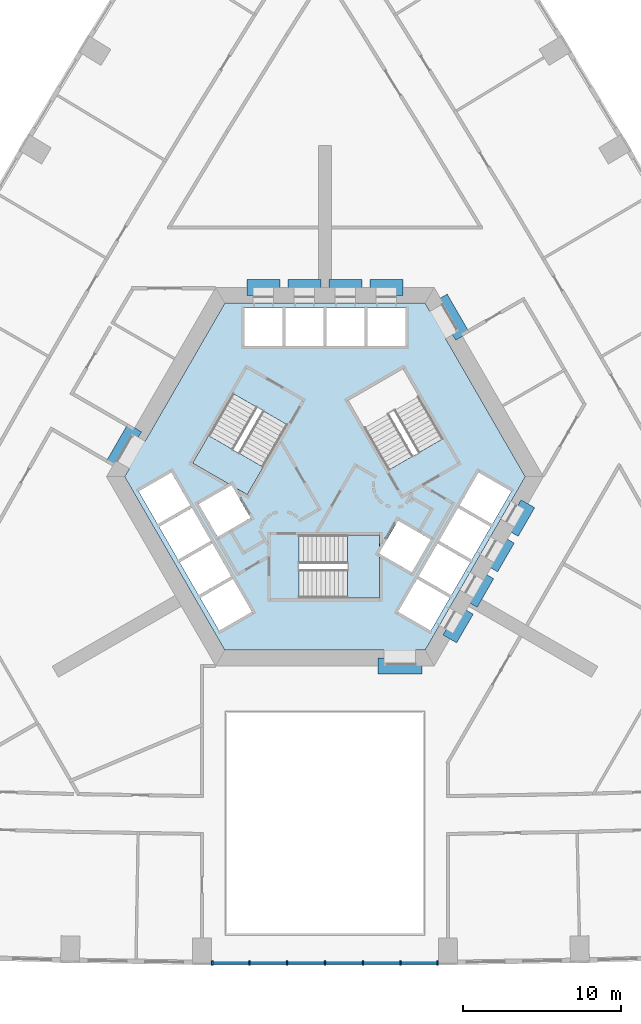
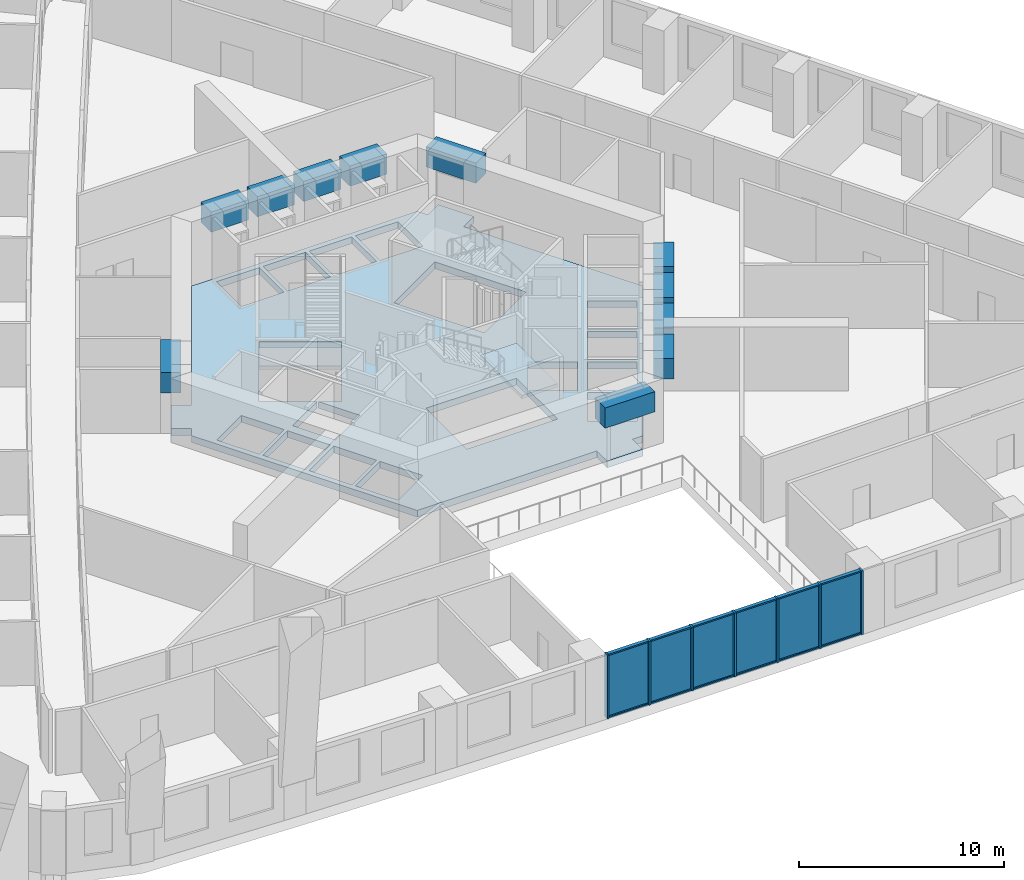
# One storey, part 2 of 15: 19 members, 11 beams, 6 plates, 3 slabs, 3 elements without a shape of their own.
"""IFC4 building model written with IfcOpenShell, lengths in metres."""

from ifc_helpers import new_model, si_unit, direction, frame, origin, origin_2d, place, context, subcontext, project, spatial, polyline, rectangle, outline, extrude, material, layer, layer_set, material_profile, profile_set, type_object, element, aggregate, save


model = new_model("IFC4")

# Units and contexts
model_context = context("Model", 3, precision=1e-05, world=origin(), true_north=direction((0.0, 1.0)))
body_context = subcontext(model_context, "Body", "Model", "MODEL_VIEW")
ifc_project = project(units=[si_unit("LENGTHUNIT", "METRE"), si_unit("AREAUNIT", "SQUARE_METRE"), si_unit("VOLUMEUNIT", "CUBIC_METRE"), si_unit("PLANEANGLEUNIT", "RADIAN"), si_unit("MASSUNIT", "GRAM", prefix="KILO")], contexts=[model_context])

# Site, building, storey
site_placement = place(None, origin())
site = spatial("IfcSite", under=ifc_project, at=site_placement, CompositionType="ELEMENT")
building_placement = place(site_placement, origin())
building = spatial("IfcBuilding", under=site, at=building_placement, Name="Entoto Arch Interchange Tower", CompositionType="ELEMENT")
storey_placement = place(building_placement, frame((0.0, 0.0, 35.0)))
storey = spatial("IfcBuildingStorey", under=building, at=storey_placement, Name="L06", CompositionType="ELEMENT", Elevation=35.0)

# Beams
ifc_material_1 = material(Name="Concrete C60/75", Category="concrete")
ifc_material_profile_1 = material_profile(ifc_material_1, rectangle(XDim=1.0, YDim=1.199951171875, at=origin_2d()))
ifc_profile_set_1 = profile_set([ifc_material_profile_1], Name="Concrete C60/75")
beam_type = type_object("IfcBeamType", Name="Coupling beam RC 1000x1200 C60/75", PredefinedType="BEAM", material=ifc_profile_set_1)
beam_1_placement = place(storey_placement, frame((8.717041015625, 11.402099609375, 3.0), z_axis=(-0.500200581029, 0.865909567298, 0.0), x_axis=(-0.865909567298, -0.500200581029, 0.0)))
element("IfcBeam", 1, at=beam_1_placement, inside=storey, type_object=beam_type, Name="Coupling beam NE L06", PredefinedType="BEAM", context=body_context, shape_type="SweptSolid", body=[
    extrude(rectangle(XDim=1.0, YDim=1.199951171875, at=origin_2d()), origin(), (0.0, 0.0, 1.0), 2.799072265625),
])
beam_2_placement = place(storey_placement, frame((4.949951171875, 14.5, 3.0), z_axis=(-1.0, 0.0, 0.0), x_axis=(0.0, -1.0, 0.0)))
element("IfcBeam", 2, at=beam_2_placement, inside=storey, type_object=beam_type, Name="Coupling beam N L06", PredefinedType="BEAM", context=body_context, shape_type="SweptSolid", body=[
    extrude(rectangle(XDim=1.0, YDim=1.199951171875, at=origin_2d()), origin(), (0.0, 0.0, 1.0), 2.099853515625),
])
for number, where, z_axis, x_axis, name in (
    (3, (2.35009765625, 14.5, 3.0), (-1.0, 0.0, 0.0), (0.0, -1.0, 0.0), "Coupling beam N L06"),
    (4, (-0.25, 14.5, 3.0), (-1.0, 0.0, 0.0), (0.0, -1.0, 0.0), "Coupling beam N L06"),
):
    element("IfcBeam", number, at=place(storey_placement, frame(where, z_axis=z_axis, x_axis=x_axis)), inside=storey, type_object=beam_type, Name=name, PredefinedType="BEAM", context=body_context, shape_type="SweptSolid", body=[
        extrude(rectangle(XDim=1.0, YDim=1.199951171875, at=origin_2d()), origin(), (0.0, 0.0, 1.0), 2.10009765625),
    ])
beam_3_placement = place(storey_placement, frame((-2.85009765625, 14.5, 3.0), z_axis=(-1.0, 0.0, 0.0), x_axis=(0.0, -1.0, 0.0)))
element("IfcBeam", 5, at=beam_3_placement, inside=storey, type_object=beam_type, Name="Coupling beam N L06", PredefinedType="BEAM", context=body_context, shape_type="SweptSolid", body=[
    extrude(rectangle(XDim=1.0, YDim=1.199951171875, at=origin_2d()), origin(), (0.0, 0.0, 1.0), 2.099853515625),
])
beam_4_placement = place(storey_placement, frame((-12.06689453125, 5.597900390625, 3.0), z_axis=(-0.500200581029, -0.865909567298, 0.0), x_axis=(0.865909567298, -0.500200581029, 0.0)))
element("IfcBeam", 6, at=beam_4_placement, inside=storey, type_object=beam_type, Name="Coupling beam NW L06", PredefinedType="BEAM", context=body_context, shape_type="SweptSolid", body=[
    extrude(rectangle(XDim=1.0, YDim=1.199951171875, at=origin_2d()), origin(), (0.0, 0.0, 1.0), 2.799072265625),
])
beam_5_placement = place(storey_placement, frame((3.35009765625, -9.5, 3.0), z_axis=(1.0, 0.0, 0.0), x_axis=(0.0, 1.0, 0.0)))
element("IfcBeam", 7, at=beam_5_placement, inside=storey, type_object=beam_type, Name="Coupling beam S L06", PredefinedType="BEAM", context=body_context, shape_type="SweptSolid", body=[
    extrude(rectangle(XDim=1.0, YDim=1.199951171875, at=origin_2d()), origin(), (0.0, 0.0, 1.0), 2.7998046875),
])
for number, where, z_axis, x_axis, name in (
    (8, (7.9169921875, -7.785888671875, 3.0), (0.500178781653, 0.865922159541, 0.0), (-0.865922159541, 0.500178781653, 0.0), "Coupling beam SE L06"),
    (9, (9.217041015625, -5.534912109375, 3.0), (0.500178781653, 0.865922159541, 0.0), (-0.865922159541, 0.500178781653, 0.0), "Coupling beam SE L06"),
):
    element("IfcBeam", number, at=place(storey_placement, frame(where, z_axis=z_axis, x_axis=x_axis)), inside=storey, type_object=beam_type, Name=name, PredefinedType="BEAM", context=body_context, shape_type="SweptSolid", body=[
        extrude(rectangle(XDim=1.0, YDim=1.199951171875, at=origin_2d()), origin(), (0.0, 0.0, 1.0), 2.099365234375),
    ])
beam_6_placement = place(storey_placement, frame((10.51708984375, -3.282958984375, 3.0), z_axis=(0.500091574638, 0.865972526687, 0.0), x_axis=(-0.865972526687, 0.500091574638, 0.0)))
element("IfcBeam", 10, at=beam_6_placement, inside=storey, type_object=beam_type, Name="Coupling beam SE L06", PredefinedType="BEAM", context=body_context, shape_type="SweptSolid", body=[
    extrude(rectangle(XDim=1.0, YDim=1.199951171875, at=origin_2d()), origin(), (0.0, 0.0, 1.0), 2.09912109375),
])
beam_7_placement = place(storey_placement, frame((11.81689453125, -1.031982421875, 3.0), z_axis=(0.500178781653, 0.865922159541, 0.0), x_axis=(-0.865922159541, 0.500178781653, 0.0)))
element("IfcBeam", 11, at=beam_7_placement, inside=storey, type_object=beam_type, Name="Coupling beam SE L06", PredefinedType="BEAM", context=body_context, shape_type="SweptSolid", body=[
    extrude(rectangle(XDim=1.0, YDim=1.199951171875, at=origin_2d()), origin(), (0.0, 0.0, 1.0), 2.099365234375),
])

# Curtain wall, members
ifc_material_2 = material(Name="Aluminium, anodised", Category="aluminium")
curtain_wall_type = type_object("IfcCurtainWallType", Name="CURTAIN WALL ATRIUM", PredefinedType="NOTDEFINED", material=ifc_material_2)
curtain_wall_placement = place(storey_placement, origin())
curtain_wall = element("IfcCurtainWall", 12, at=curtain_wall_placement, inside=storey, type_object=curtain_wall_type, Name="Atrium glazing S-04 L06", PredefinedType="NOTDEFINED")
ifc_material_profile_2 = material_profile(ifc_material_2, rectangle(XDim=0.300048828125, YDim=0.10009765625, at=origin_2d()))
ifc_profile_set_2 = profile_set([ifc_material_profile_2], Name="Aluminium, anodised")
member_type_1 = type_object("IfcMemberType", Name="MULLION ATRIUM 100x300", PredefinedType="MULLION", material=ifc_profile_set_2)
member_1_placement = place(storey_placement, frame((-7.14794921875, -28.3330078125, 0.0), z_axis=(0.0, 0.0, 1.0), x_axis=(0.0, 1.0, 0.0)))
member_1 = element("IfcMember", 13, at=member_1_placement, type_object=member_type_1, Name="CWA mullion 1", PredefinedType="MULLION", context=body_context, shape_type="SweptSolid", body=[
    extrude(rectangle(XDim=0.300048828125, YDim=0.10009765625, at=origin_2d()), origin(), (0.0, 0.0, 1.0), 3.800048828125),
])
member_2_placement = place(storey_placement, frame((-4.798583984375, -28.3330078125, 0.0), z_axis=(0.0, 0.0, 1.0), x_axis=(0.0, 1.0, 0.0)))
member_2 = element("IfcMember", 14, at=member_2_placement, type_object=member_type_1, Name="CWA mullion 2", PredefinedType="MULLION", context=body_context, shape_type="SweptSolid", body=[
    extrude(rectangle(XDim=0.300048828125, YDim=0.10009765625, at=origin_2d()), origin(), (0.0, 0.0, 1.0), 3.800048828125),
])
member_3_placement = place(storey_placement, frame((-2.3994140625, -28.3330078125, 0.0), z_axis=(0.0, 0.0, 1.0), x_axis=(0.0, 1.0, 0.0)))
member_3 = element("IfcMember", 15, at=member_3_placement, type_object=member_type_1, Name="CWA mullion 3", PredefinedType="MULLION", context=body_context, shape_type="SweptSolid", body=[
    extrude(rectangle(XDim=0.300048828125, YDim=0.10009765625, at=origin_2d()), origin(), (0.0, 0.0, 1.0), 3.800048828125),
])
member_4_placement = place(storey_placement, frame((0.0, -28.3330078125, 0.0), z_axis=(0.0, 0.0, 1.0), x_axis=(0.0, 1.0, 0.0)))
member_4 = element("IfcMember", 16, at=member_4_placement, type_object=member_type_1, Name="CWA mullion 4", PredefinedType="MULLION", context=body_context, shape_type="SweptSolid", body=[
    extrude(rectangle(XDim=0.300048828125, YDim=0.10009765625, at=origin_2d()), origin(), (0.0, 0.0, 1.0), 3.800048828125),
])
member_5_placement = place(storey_placement, frame((2.3994140625, -28.3330078125, 0.0), z_axis=(0.0, 0.0, 1.0), x_axis=(0.0, 1.0, 0.0)))
member_5 = element("IfcMember", 17, at=member_5_placement, type_object=member_type_1, Name="CWA mullion 5", PredefinedType="MULLION", context=body_context, shape_type="SweptSolid", body=[
    extrude(rectangle(XDim=0.300048828125, YDim=0.10009765625, at=origin_2d()), origin(), (0.0, 0.0, 1.0), 3.800048828125),
])
member_6_placement = place(storey_placement, frame((4.798583984375, -28.3330078125, 0.0), z_axis=(0.0, 0.0, 1.0), x_axis=(0.0, 1.0, 0.0)))
member_6 = element("IfcMember", 18, at=member_6_placement, type_object=member_type_1, Name="CWA mullion 6", PredefinedType="MULLION", context=body_context, shape_type="SweptSolid", body=[
    extrude(rectangle(XDim=0.300048828125, YDim=0.10009765625, at=origin_2d()), origin(), (0.0, 0.0, 1.0), 3.800048828125),
])
member_7_placement = place(storey_placement, frame((7.14794921875, -28.3330078125, 0.0), z_axis=(0.0, 0.0, 1.0), x_axis=(0.0, 1.0, 0.0)))
member_7 = element("IfcMember", 19, at=member_7_placement, type_object=member_type_1, Name="CWA mullion 7", PredefinedType="MULLION", context=body_context, shape_type="SweptSolid", body=[
    extrude(rectangle(XDim=0.300048828125, YDim=0.10009765625, at=origin_2d()), origin(), (0.0, 0.0, 1.0), 3.800048828125),
])
ifc_material_profile_3 = material_profile(ifc_material_2, rectangle(XDim=0.199951171875, YDim=0.080078125, at=origin_2d()))
ifc_profile_set_3 = profile_set([ifc_material_profile_3], Name="Aluminium, anodised")
member_type_2 = type_object("IfcMemberType", Name="TRANSOM ATRIUM 80x200", PredefinedType="USERDEFINED", material=ifc_profile_set_3)
member_8_placement = place(storey_placement, frame((-7.097900390625, -28.3330078125, 0.0400390625), z_axis=(1.0, 0.0, 0.0), x_axis=(0.0, 1.0, 0.0)))
member_8 = element("IfcMember", 20, at=member_8_placement, type_object=member_type_2, Name="CWA transom 1.1", ObjectType="TRANSOM", PredefinedType="USERDEFINED", context=body_context, shape_type="SweptSolid", body=[
    extrude(rectangle(XDim=0.199951171875, YDim=0.080078125, at=origin_2d()), origin(), (0.0, 0.0, 1.0), 2.249267578125),
])
member_9_placement = place(storey_placement, frame((-7.097900390625, -28.3330078125, 3.760009765625), z_axis=(1.0, 0.0, 0.0), x_axis=(0.0, 1.0, 0.0)))
member_9 = element("IfcMember", 21, at=member_9_placement, type_object=member_type_2, Name="CWA transom 1.2", ObjectType="TRANSOM", PredefinedType="USERDEFINED", context=body_context, shape_type="SweptSolid", body=[
    extrude(rectangle(XDim=0.199951171875, YDim=0.080078125, at=origin_2d()), origin(), (0.0, 0.0, 1.0), 2.249267578125),
])
member_10_placement = place(storey_placement, frame((-4.748779296875, -28.3330078125, 0.0400390625), z_axis=(1.0, 0.0, 0.0), x_axis=(0.0, 1.0, 0.0)))
member_10 = element("IfcMember", 22, at=member_10_placement, type_object=member_type_2, Name="CWA transom 2.1", ObjectType="TRANSOM", PredefinedType="USERDEFINED", context=body_context, shape_type="SweptSolid", body=[
    extrude(rectangle(XDim=0.199951171875, YDim=0.080078125, at=origin_2d()), origin(), (0.0, 0.0, 1.0), 2.299560546875),
])
member_11_placement = place(storey_placement, frame((-4.748779296875, -28.3330078125, 3.760009765625), z_axis=(1.0, 0.0, 0.0), x_axis=(0.0, 1.0, 0.0)))
member_11 = element("IfcMember", 23, at=member_11_placement, type_object=member_type_2, Name="CWA transom 2.2", ObjectType="TRANSOM", PredefinedType="USERDEFINED", context=body_context, shape_type="SweptSolid", body=[
    extrude(rectangle(XDim=0.199951171875, YDim=0.080078125, at=origin_2d()), origin(), (0.0, 0.0, 1.0), 2.299560546875),
])
member_12_placement = place(storey_placement, frame((-2.349365234375, -28.3330078125, 0.0400390625), z_axis=(1.0, 0.0, 0.0), x_axis=(0.0, 1.0, 0.0)))
member_12 = element("IfcMember", 24, at=member_12_placement, type_object=member_type_2, Name="CWA transom 3.1", ObjectType="TRANSOM", PredefinedType="USERDEFINED", context=body_context, shape_type="SweptSolid", body=[
    extrude(rectangle(XDim=0.199951171875, YDim=0.080078125, at=origin_2d()), origin(), (0.0, 0.0, 1.0), 2.29931640625),
])
member_13_placement = place(storey_placement, frame((-2.349365234375, -28.3330078125, 3.760009765625), z_axis=(1.0, 0.0, 0.0), x_axis=(0.0, 1.0, 0.0)))
member_13 = element("IfcMember", 25, at=member_13_placement, type_object=member_type_2, Name="CWA transom 3.2", ObjectType="TRANSOM", PredefinedType="USERDEFINED", context=body_context, shape_type="SweptSolid", body=[
    extrude(rectangle(XDim=0.199951171875, YDim=0.080078125, at=origin_2d()), origin(), (0.0, 0.0, 1.0), 2.29931640625),
])
member_14_placement = place(storey_placement, frame((0.050048828125, -28.3330078125, 0.0400390625), z_axis=(1.0, 0.0, 0.0), x_axis=(0.0, 1.0, 0.0)))
member_14 = element("IfcMember", 26, at=member_14_placement, type_object=member_type_2, Name="CWA transom 4.1", ObjectType="TRANSOM", PredefinedType="USERDEFINED", context=body_context, shape_type="SweptSolid", body=[
    extrude(rectangle(XDim=0.199951171875, YDim=0.080078125, at=origin_2d()), origin(), (0.0, 0.0, 1.0), 2.29931640625),
])
member_15_placement = place(storey_placement, frame((0.050048828125, -28.3330078125, 3.760009765625), z_axis=(1.0, 0.0, 0.0), x_axis=(0.0, 1.0, 0.0)))
member_15 = element("IfcMember", 27, at=member_15_placement, type_object=member_type_2, Name="CWA transom 4.2", ObjectType="TRANSOM", PredefinedType="USERDEFINED", context=body_context, shape_type="SweptSolid", body=[
    extrude(rectangle(XDim=0.199951171875, YDim=0.080078125, at=origin_2d()), origin(), (0.0, 0.0, 1.0), 2.29931640625),
])
member_16_placement = place(storey_placement, frame((2.44921875, -28.3330078125, 0.0400390625), z_axis=(1.0, 0.0, 0.0), x_axis=(0.0, 1.0, 0.0)))
member_16 = element("IfcMember", 28, at=member_16_placement, type_object=member_type_2, Name="CWA transom 5.1", ObjectType="TRANSOM", PredefinedType="USERDEFINED", context=body_context, shape_type="SweptSolid", body=[
    extrude(rectangle(XDim=0.199951171875, YDim=0.080078125, at=origin_2d()), origin(), (0.0, 0.0, 1.0), 2.299560546875),
])
member_17_placement = place(storey_placement, frame((2.44921875, -28.3330078125, 3.760009765625), z_axis=(1.0, 0.0, 0.0), x_axis=(0.0, 1.0, 0.0)))
member_17 = element("IfcMember", 29, at=member_17_placement, type_object=member_type_2, Name="CWA transom 5.2", ObjectType="TRANSOM", PredefinedType="USERDEFINED", context=body_context, shape_type="SweptSolid", body=[
    extrude(rectangle(XDim=0.199951171875, YDim=0.080078125, at=origin_2d()), origin(), (0.0, 0.0, 1.0), 2.299560546875),
])
member_18_placement = place(storey_placement, frame((4.8486328125, -28.3330078125, 0.0400390625), z_axis=(1.0, 0.0, 0.0), x_axis=(0.0, 1.0, 0.0)))
member_18 = element("IfcMember", 30, at=member_18_placement, type_object=member_type_2, Name="CWA transom 6.1", ObjectType="TRANSOM", PredefinedType="USERDEFINED", context=body_context, shape_type="SweptSolid", body=[
    extrude(rectangle(XDim=0.199951171875, YDim=0.080078125, at=origin_2d()), origin(), (0.0, 0.0, 1.0), 2.249267578125),
])
member_19_placement = place(storey_placement, frame((4.8486328125, -28.3330078125, 3.760009765625), z_axis=(1.0, 0.0, 0.0), x_axis=(0.0, 1.0, 0.0)))
member_19 = element("IfcMember", 31, at=member_19_placement, type_object=member_type_2, Name="CWA transom 6.2", ObjectType="TRANSOM", PredefinedType="USERDEFINED", context=body_context, shape_type="SweptSolid", body=[
    extrude(rectangle(XDim=0.199951171875, YDim=0.080078125, at=origin_2d()), origin(), (0.0, 0.0, 1.0), 2.249267578125),
])

# Slab
ifc_material_3 = material(Name="Concrete C40/50", Category="concrete")
ifc_layer_1 = layer(ifc_material_3, 0.39990234375)
ifc_layer_set_1 = layer_set([ifc_layer_1], Name="Concrete C40/50")
slab_type_1 = type_object("IfcSlabType", Name="Core floor slab 400 C40/50", PredefinedType="FLOOR", material=ifc_layer_set_1)
slab_1_placement = place(storey_placement, frame((0.0, 0.0, -0.39990234375)))
element("IfcSlab", 32, at=slab_1_placement, inside=storey, type_object=slab_type_1, Name="Core floor slab L06", PredefinedType="FLOOR", context=body_context, shape_type="SweptSolid", body=[
    extrude(outline(polyline([(5.75, -9.5), (3.75, -9.5), (3.75, -8.5), (-6.35107421875, -8.5), (-12.701904296875, 2.5), (-12.402099609375, 3.02001953125), (-13.26708984375, 3.52001953125), (-12.26708984375, 5.251953125), (-11.402099609375, 4.751953125), (-6.35107421875, 13.5), (6.35107421875, 13.5), (6.65087890625, 12.97998046875), (7.51708984375, 13.47998046875), (8.51708984375, 11.748046875), (7.65087890625, 11.248046875), (12.701904296875, 2.5), (6.35107421875, -8.5), (5.75, -8.5), (5.75, -9.5)]), holes=[polyline([(-4.637939453125, -6.06689453125), (-5.837890625, -3.988037109375), (-7.916015625, -5.18798828125), (-6.716064453125, -7.26708984375), (-4.637939453125, -6.06689453125)]), polyline([(-5.93798828125, -3.81494140625), (-7.137939453125, -1.737060546875), (-9.216064453125, -2.93701171875), (-8.01611328125, -5.014892578125), (-5.93798828125, -3.81494140625)]), polyline([(5.5048828125, -3.56494140625), (6.705078125, -1.487060546875), (4.626953125, -0.287109375), (3.449951171875, -2.324951171875), (3.449951171875, -1.199951171875), (-1.64990234375, -1.199951171875), (-1.64990234375, -5.199951171875), (3.449951171875, -5.199951171875), (3.449951171875, -2.3779296875), (5.5048828125, -3.56494140625)]), polyline([(-7.238037109375, -1.56298828125), (-8.43798828125, 0.514892578125), (-10.51611328125, -0.68505859375), (-9.31591796875, -2.762939453125), (-7.238037109375, -1.56298828125)]), polyline([(-4.72705078125, -0.113037109375), (-5.904052734375, 1.925048828125), (-4.928955078125, 1.362060546875), (-2.37890625, 5.779052734375), (-5.843017578125, 7.779052734375), (-8.39306640625, 3.362060546875), (-5.949951171875, 1.951904296875), (-8.0048828125, 0.764892578125), (-6.804931640625, -1.31298828125), (-4.72705078125, -0.113037109375)]), polyline([(-8.5380859375, 0.68798828125), (-9.738037109375, 2.76708984375), (-11.81591796875, 1.56689453125), (-10.615966796875, -0.511962890625), (-8.5380859375, 0.68798828125)]), polyline([(-5.10009765625, 10.800048828125), (-2.699951171875, 10.800048828125), (-2.699951171875, 13.199951171875), (-5.10009765625, 13.199951171875), (-5.10009765625, 10.800048828125)]), polyline([(-2.5, 10.800048828125), (-0.10009765625, 10.800048828125), (-0.10009765625, 13.199951171875), (-2.5, 13.199951171875), (-2.5, 10.800048828125)]), polyline([(5.837890625, -3.988037109375), (4.637939453125, -6.06689453125), (6.716064453125, -7.26708984375), (7.916015625, -5.18798828125), (5.837890625, -3.988037109375)]), polyline([(7.137939453125, -1.737060546875), (5.93798828125, -3.81494140625), (8.01611328125, -5.014892578125), (9.216064453125, -2.93701171875), (7.137939453125, -1.737060546875)]), polyline([(8.43798828125, 0.514892578125), (7.238037109375, -1.56298828125), (9.31591796875, -2.762939453125), (10.51611328125, -0.68505859375), (8.43798828125, 0.514892578125)]), polyline([(9.738037109375, 2.76708984375), (8.5380859375, 0.68798828125), (10.615966796875, -0.511962890625), (11.81591796875, 1.56689453125), (9.738037109375, 2.76708984375)]), polyline([(4.029052734375, 2.9208984375), (7.492919921875, 4.9208984375), (4.943115234375, 9.337890625), (1.47900390625, 7.337890625), (4.029052734375, 2.9208984375)]), polyline([(0.10009765625, 13.199951171875), (0.10009765625, 10.800048828125), (2.5, 10.800048828125), (2.5, 13.199951171875), (0.10009765625, 13.199951171875)]), polyline([(2.699951171875, 13.199951171875), (2.699951171875, 10.800048828125), (5.10009765625, 10.800048828125), (5.10009765625, 13.199951171875), (2.699951171875, 13.199951171875)])]), origin(), (0.0, 0.0, 1.0), 0.39990234375),
])

# Stair, slab
stair_type = type_object("IfcStairType", Name="EXIT STAIR RC 1800", PredefinedType="HALF_TURN_STAIR", material=ifc_material_3)
stair_1_placement = place(storey_placement, origin())
stair_1 = element("IfcStair", 33, at=stair_1_placement, inside=storey, type_object=stair_type, Name="L06 Exit stair S", PredefinedType="HALF_TURN_STAIR")
ifc_layer_2 = layer(ifc_material_3, 0.199951171875)
ifc_layer_set_2 = layer_set([ifc_layer_2], Name="Concrete C40/50")
slab_type_2 = type_object("IfcSlabType", Name="EXIT STAIR LANDING RC 200", PredefinedType="LANDING", material=ifc_layer_set_2)
slab_2_placement = place(storey_placement, frame((0.0, 0.0, 1.89990234375)))
slab_2 = element("IfcSlab", 34, at=slab_2_placement, type_object=slab_type_2, Name="ST-S landing 1", PredefinedType="LANDING", context=body_context, shape_type="SweptSolid", body=[
    extrude(outline(polyline([(1.429931640625, -5.199951171875), (3.449951171875, -5.199951171875), (3.449951171875, -1.199951171875), (1.429931640625, -1.199951171875), (1.429931640625, -5.199951171875)])), origin(), (0.0, 0.0, 1.0), 0.2001953125),
])
aggregate(stair_1, [slab_2])

stair_2_placement = place(storey_placement, origin())
stair_2 = element("IfcStair", 35, at=stair_2_placement, inside=storey, type_object=stair_type, Name="L06 Exit stair NW", PredefinedType="HALF_TURN_STAIR")
slab_3_placement = place(storey_placement, frame((0.0, 0.0, 1.89990234375)))
slab_3 = element("IfcSlab", 36, at=slab_3_placement, type_object=slab_type_2, Name="ST-NW landing 1", PredefinedType="LANDING", context=body_context, shape_type="SweptSolid", body=[
    extrude(outline(polyline([(-7.38330078125, 5.111572265625), (-8.393310546875, 3.3623046875), (-4.92919921875, 1.3623046875), (-3.919189453125, 3.111572265625), (-7.38330078125, 5.111572265625)])), origin(), (0.0, 0.0, 1.0), 0.2001953125),
])
aggregate(stair_2, [slab_3])

# Plate
ifc_material_4 = material(Name="Clear glass, low-e double glazed", Category="glass")
ifc_layer_3 = layer(ifc_material_4, 0.031982421875)
ifc_layer_set_3 = layer_set([ifc_layer_3], Name="Clear glass, low-e double glazed")
plate_type = type_object("IfcPlateType", Name="GLAZING PANEL ATRIUM 32", PredefinedType="CURTAIN_PANEL", material=ifc_layer_set_3)
plate_1_placement = place(storey_placement, frame((-5.973388671875, -28.3330078125, 0.080078125), z_axis=(0.0, 0.0, 1.0), x_axis=(1.0, 0.0, 0.0)))
plate_1 = element("IfcPlate", 37, at=plate_1_placement, type_object=plate_type, Name="CWA panel 1.1", PredefinedType="CURTAIN_PANEL", context=body_context, shape_type="SweptSolid", body=[
    extrude(rectangle(XDim=2.249267578125, YDim=0.031982421875, at=origin_2d()), origin(), (0.0, 0.0, 1.0), 3.639892578125),
])

plate_2_placement = place(storey_placement, frame((-3.59912109375, -28.3330078125, 0.080078125), z_axis=(0.0, 0.0, 1.0), x_axis=(1.0, 0.0, 0.0)))
plate_2 = element("IfcPlate", 38, at=plate_2_placement, type_object=plate_type, Name="CWA panel 2.1", PredefinedType="CURTAIN_PANEL", context=body_context, shape_type="SweptSolid", body=[
    extrude(rectangle(XDim=2.29931640625, YDim=0.031982421875, at=origin_2d()), origin(), (0.0, 0.0, 1.0), 3.639892578125),
])

plate_3_placement = place(storey_placement, frame((-1.19970703125, -28.3330078125, 0.080078125), z_axis=(0.0, 0.0, 1.0), x_axis=(1.0, 0.0, 0.0)))
plate_3 = element("IfcPlate", 39, at=plate_3_placement, type_object=plate_type, Name="CWA panel 3.1", PredefinedType="CURTAIN_PANEL", context=body_context, shape_type="SweptSolid", body=[
    extrude(rectangle(XDim=2.29931640625, YDim=0.031982421875, at=origin_2d()), origin(), (0.0, 0.0, 1.0), 3.639892578125),
])

plate_4_placement = place(storey_placement, frame((1.19970703125, -28.3330078125, 0.080078125), z_axis=(0.0, 0.0, 1.0), x_axis=(1.0, 0.0, 0.0)))
plate_4 = element("IfcPlate", 40, at=plate_4_placement, type_object=plate_type, Name="CWA panel 4.1", PredefinedType="CURTAIN_PANEL", context=body_context, shape_type="SweptSolid", body=[
    extrude(rectangle(XDim=2.29931640625, YDim=0.031982421875, at=origin_2d()), origin(), (0.0, 0.0, 1.0), 3.639892578125),
])

plate_5_placement = place(storey_placement, frame((3.59912109375, -28.3330078125, 0.080078125), z_axis=(0.0, 0.0, 1.0), x_axis=(1.0, 0.0, 0.0)))
plate_5 = element("IfcPlate", 41, at=plate_5_placement, type_object=plate_type, Name="CWA panel 5.1", PredefinedType="CURTAIN_PANEL", context=body_context, shape_type="SweptSolid", body=[
    extrude(rectangle(XDim=2.29931640625, YDim=0.031982421875, at=origin_2d()), origin(), (0.0, 0.0, 1.0), 3.639892578125),
])

plate_6_placement = place(storey_placement, frame((5.973388671875, -28.3330078125, 0.080078125), z_axis=(0.0, 0.0, 1.0), x_axis=(1.0, 0.0, 0.0)))
plate_6 = element("IfcPlate", 42, at=plate_6_placement, type_object=plate_type, Name="CWA panel 6.1", PredefinedType="CURTAIN_PANEL", context=body_context, shape_type="SweptSolid", body=[
    extrude(rectangle(XDim=2.249267578125, YDim=0.031982421875, at=origin_2d()), origin(), (0.0, 0.0, 1.0), 3.639892578125),
])

aggregate(curtain_wall, [member_1, member_2, member_3, member_4, member_5, member_6, member_7, member_8, member_9, plate_1, member_10, member_11, plate_2, member_12, member_13, plate_3, member_14, member_15, plate_4, member_16, member_17, plate_5, member_18, member_19, plate_6])

save(model, "model.ifc")
